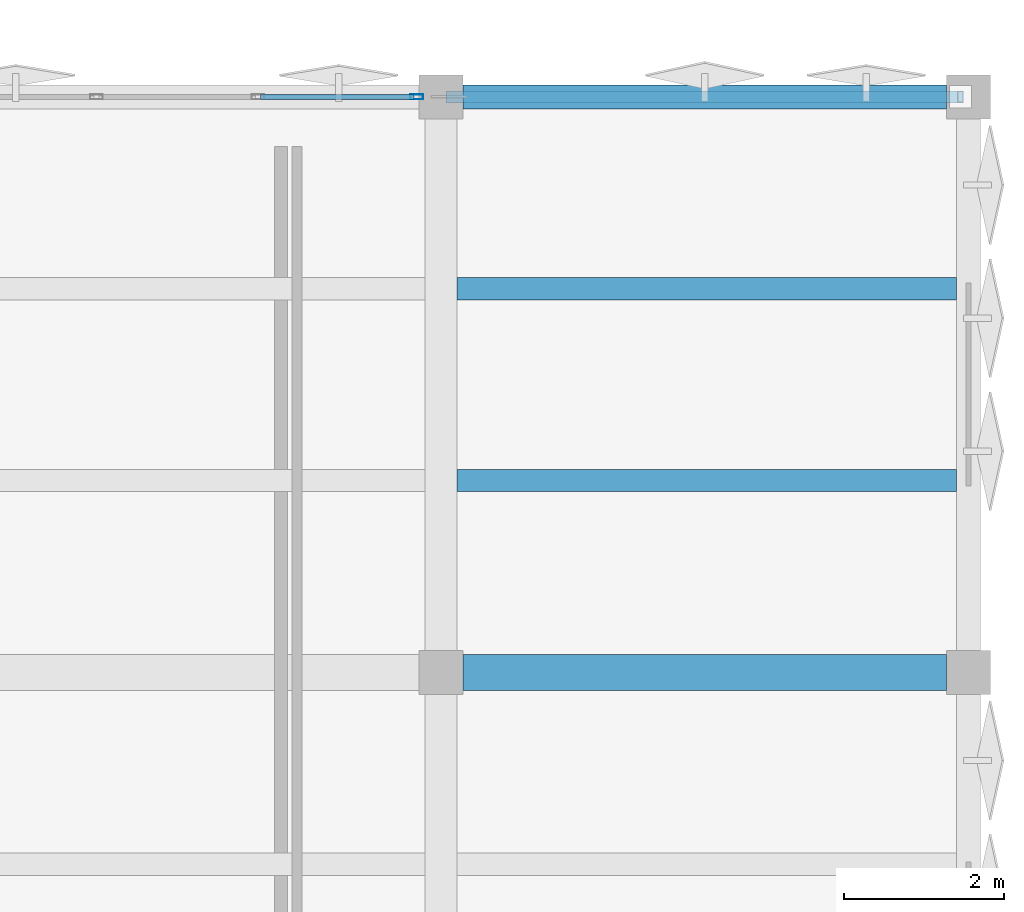
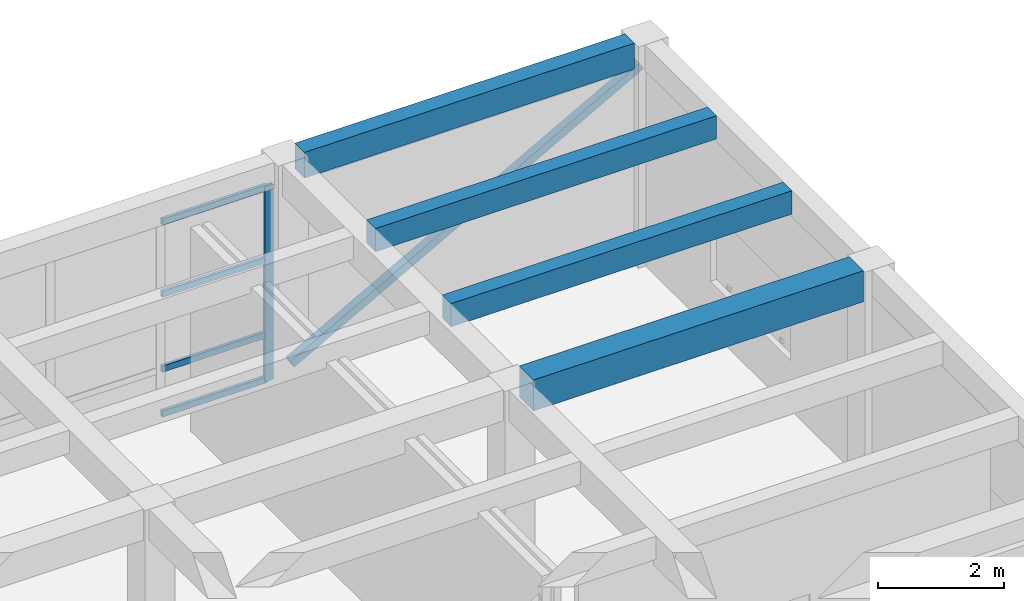
# One storey, part 21 of 39: 6 members, 4 beams, 1 element without a shape of its own.
"""IFC4 building model written with IfcOpenShell, lengths in metres."""

from ifc_helpers import new_model, si_unit, direction, frame, origin, origin_2d, place, context, subcontext, project, spatial, rectangle, hollow_rectangle, extrude, material, layer, layer_set, material_profile, profile_set, type_object, element, aggregate, save


model = new_model("IFC4")

# Units and contexts
model_context = context("Model", 3, precision=1e-05, world=origin(), true_north=direction((0.0, 1.0)))
body_context = subcontext(model_context, "Body", "Model", "MODEL_VIEW")
ifc_project = project(units=[si_unit("LENGTHUNIT", "METRE"), si_unit("AREAUNIT", "SQUARE_METRE"), si_unit("VOLUMEUNIT", "CUBIC_METRE"), si_unit("PLANEANGLEUNIT", "RADIAN"), si_unit("MASSUNIT", "GRAM", prefix="KILO")], contexts=[model_context])

# Site, building, storey
site_placement = place(None, origin())
site = spatial("IfcSite", under=ifc_project, at=site_placement, CompositionType="ELEMENT")
building_placement = place(site_placement, origin())
building = spatial("IfcBuilding", under=site, at=building_placement, Name="Kharisveld Research Institute", CompositionType="ELEMENT")
storey_placement = place(building_placement, frame((0.0, 0.0, 23.10009765625)))
storey = spatial("IfcBuildingStorey", under=building, at=storey_placement, Name="L05", CompositionType="ELEMENT", Elevation=23.10009765625)

# Beam
ifc_material_1 = material(Name="Concrete C40/50", Category="concrete")
ifc_material_profile_1 = material_profile(ifc_material_1, rectangle(XDim=0.449951171875, YDim=0.60009765625, at=origin_2d()))
ifc_profile_set_1 = profile_set([ifc_material_profile_1], Name="Concrete C40/50")
beam_type_1 = type_object("IfcBeamType", Name="BM_RC_450x600", PredefinedType="BEAM", material=ifc_profile_set_1)
beam_1_placement = place(storey_placement, frame((154.47509765625, 53.60009765625, 3.989990234375), z_axis=(1.0, 0.0, 0.0), x_axis=(0.0, 1.0, 0.0)))
element("IfcBeam", 1, at=beam_1_placement, inside=storey, type_object=beam_type_1, Name="BM:V2:L05:U6_2", PredefinedType="BEAM", context=body_context, shape_type="SweptSolid", body=[
    extrude(rectangle(XDim=0.449951171875, YDim=0.60009765625, at=origin_2d()), origin(), (0.0, 0.0, 1.0), 6.0498046875),
])

# Member
ifc_material_2 = material(Name="Steel S355J2H", Category="steel")
ifc_material_profile_2 = material_profile(ifc_material_2, hollow_rectangle(XDim=0.14990234375, YDim=0.14990234375, WallThickness=0.008056640625, at=origin_2d()))
ifc_profile_set_2 = profile_set([ifc_material_profile_2], Name="Steel S355J2H")
member_type_1 = type_object("IfcMemberType", Name="BR_SHS150", PredefinedType="BRACE", material=ifc_profile_set_2)
member_1_placement = place(storey_placement, frame((154.300048828125, 60.800048828125, 0.199951171875), z_axis=(0.875053295182, 0.0, 0.484026580459), x_axis=(0.0, 1.0, 0.0)))
element("IfcMember", 2, at=member_1_placement, inside=storey, type_object=member_type_1, Name="MEM:V2:L05:BR_6_3", PredefinedType="BRACE", context=body_context, shape_type="SweptSolid", body=[
    extrude(hollow_rectangle(XDim=0.14990234375, YDim=0.14990234375, WallThickness=0.008056640625, at=origin_2d()), origin(), (0.0, 0.0, 1.0), 7.313720703125),
])

# Curtain wall, members
ifc_material_3 = material(Name="Thermally Broken Aluminium Curtain Wall", Category="aluminium")
ifc_layer = layer(ifc_material_3, 0.159912109375)
ifc_layer_set = layer_set([ifc_layer], Name="CW_SYS_06")
curtain_wall_type = type_object("IfcCurtainWallType", Name="CW_SYS_06", PredefinedType="NOTDEFINED", material=ifc_layer_set)
curtain_wall_placement = place(storey_placement, origin())
curtain_wall = element("IfcCurtainWall", 3, at=curtain_wall_placement, inside=storey, type_object=curtain_wall_type, Name="CW:V2:L05:N5", PredefinedType="NOTDEFINED")
ifc_material_4 = material(Name="Anodised Aluminium AW-6063-T6", Category="aluminium")
ifc_material_profile_3 = material_profile(ifc_material_4, hollow_rectangle(XDim=0.06494140625, YDim=0.159912109375, WallThickness=0.00390625, at=origin_2d()))
ifc_profile_set_3 = profile_set([ifc_material_profile_3], Name="Anodised Aluminium AW-6063-T6")
member_type_2 = type_object("IfcMemberType", Name="CW_MUL_160", PredefinedType="MULLION", material=ifc_profile_set_3)
member_2_placement = place(storey_placement, frame((153.8974609375, 60.800048828125, 0.0), z_axis=(0.0, 0.0, 1.0), x_axis=(0.0, 1.0, 0.0)))
member_2 = element("IfcMember", 4, at=member_2_placement, type_object=member_type_2, Name="CW-06 mullion 4", PredefinedType="MULLION", context=body_context, shape_type="SweptSolid", body=[
    extrude(hollow_rectangle(XDim=0.06494140625, YDim=0.159912109375, WallThickness=0.00390625, at=origin_2d()), origin(), (0.0, 0.0, 1.0), 3.77978515625),
])
ifc_material_5 = material(Name="Anodised Aluminium AW-6063-T6", Category="aluminium")
ifc_material_profile_4 = material_profile(ifc_material_5, hollow_rectangle(XDim=0.06005859375, YDim=0.1201171875, WallThickness=0.00390625, at=origin_2d()))
ifc_profile_set_4 = profile_set([ifc_material_profile_4], Name="Anodised Aluminium AW-6063-T6")
member_type_3 = type_object("IfcMemberType", Name="CW_TRN_120", PredefinedType="USERDEFINED", material=ifc_profile_set_4)
member_3_placement = place(storey_placement, frame((151.9423828125, 60.800048828125, 0.02978515625), z_axis=(1.0, 0.0, 0.0), x_axis=(0.0, 1.0, 0.0)))
member_3 = element("IfcMember", 5, at=member_3_placement, type_object=member_type_3, Name="CW-06 transom 3.1", ObjectType="TRANSOM", PredefinedType="USERDEFINED", context=body_context, shape_type="SweptSolid", body=[
    extrude(hollow_rectangle(XDim=0.06005859375, YDim=0.1201171875, WallThickness=0.00390625, at=origin_2d()), origin(), (0.0, 0.0, 1.0), 1.922607421875),
])
member_4_placement = place(storey_placement, frame((151.9423828125, 60.800048828125, 0.89990234375), z_axis=(1.0, 0.0, 0.0), x_axis=(0.0, 1.0, 0.0)))
member_4 = element("IfcMember", 6, at=member_4_placement, type_object=member_type_3, Name="CW-06 transom 3.2", ObjectType="TRANSOM", PredefinedType="USERDEFINED", context=body_context, shape_type="SweptSolid", body=[
    extrude(hollow_rectangle(XDim=0.06005859375, YDim=0.1201171875, WallThickness=0.00390625, at=origin_2d()), origin(), (0.0, 0.0, 1.0), 1.922607421875),
])
member_5_placement = place(storey_placement, frame((151.9423828125, 60.800048828125, 2.349853515625), z_axis=(1.0, 0.0, 0.0), x_axis=(0.0, 1.0, 0.0)))
member_5 = element("IfcMember", 7, at=member_5_placement, type_object=member_type_3, Name="CW-06 transom 3.3", ObjectType="TRANSOM", PredefinedType="USERDEFINED", context=body_context, shape_type="SweptSolid", body=[
    extrude(hollow_rectangle(XDim=0.06005859375, YDim=0.1201171875, WallThickness=0.00390625, at=origin_2d()), origin(), (0.0, 0.0, 1.0), 1.922607421875),
])
member_6_placement = place(storey_placement, frame((151.9423828125, 60.800048828125, 3.75), z_axis=(1.0, 0.0, 0.0), x_axis=(0.0, 1.0, 0.0)))
member_6 = element("IfcMember", 8, at=member_6_placement, type_object=member_type_3, Name="CW-06 transom 3.4", ObjectType="TRANSOM", PredefinedType="USERDEFINED", context=body_context, shape_type="SweptSolid", body=[
    extrude(hollow_rectangle(XDim=0.06005859375, YDim=0.1201171875, WallThickness=0.00390625, at=origin_2d()), origin(), (0.0, 0.0, 1.0), 1.922607421875),
])
aggregate(curtain_wall, [member_2, member_3, member_4, member_5, member_6])

# Beams
ifc_material_6 = material(Name="Concrete C40/50", Category="concrete")
ifc_material_profile_5 = material_profile(ifc_material_6, rectangle(XDim=0.300048828125, YDim=0.5, at=origin_2d()))
ifc_profile_set_5 = profile_set([ifc_material_profile_5], Name="Concrete C40/50")
beam_type_2 = type_object("IfcBeamType", Name="SP_RC_300x500", PredefinedType="SPANDREL", material=ifc_profile_set_5)
beam_2_placement = place(storey_placement, frame((154.47509765625, 60.800048828125, 4.039794921875), z_axis=(1.0, 0.0, 0.0), x_axis=(0.0, 1.0, 0.0)))
element("IfcBeam", 9, at=beam_2_placement, inside=storey, type_object=beam_type_2, Name="BM:V2:L05:U6_3", PredefinedType="SPANDREL", context=body_context, shape_type="SweptSolid", body=[
    extrude(rectangle(XDim=0.300048828125, YDim=0.5, at=origin_2d()), origin(), (0.0, 0.0, 1.0), 6.0498046875),
])
ifc_material_7 = material(Name="Concrete C40/50", Category="concrete")
ifc_material_profile_6 = material_profile(ifc_material_7, rectangle(XDim=0.280029296875, YDim=0.449951171875, at=origin_2d()))
ifc_profile_set_6 = profile_set([ifc_material_profile_6], Name="Concrete C40/50")
beam_type_3 = type_object("IfcBeamType", Name="WB_RC_280x450", PredefinedType="JOIST", material=ifc_profile_set_6)
for number, where, z_axis, x_axis, name in (
    (10, (154.39990234375, 56.0, 4.06494140625), (1.0, 0.0, 0.0), (0.0, 1.0, 0.0), "BM:V2:L05:J_6_2_R1"),
    (11, (154.39990234375, 58.39990234375, 4.06494140625), (1.0, 0.0, 0.0), (0.0, 1.0, 0.0), "BM:V2:L05:J_6_2_R2"),
):
    element("IfcBeam", number, at=place(storey_placement, frame(where, z_axis=z_axis, x_axis=x_axis)), inside=storey, type_object=beam_type_3, Name=name, PredefinedType="JOIST", context=body_context, shape_type="SweptSolid", body=[
        extrude(rectangle(XDim=0.280029296875, YDim=0.449951171875, at=origin_2d()), origin(), (0.0, 0.0, 1.0), 6.25),
    ])

save(model, "model.ifc")
